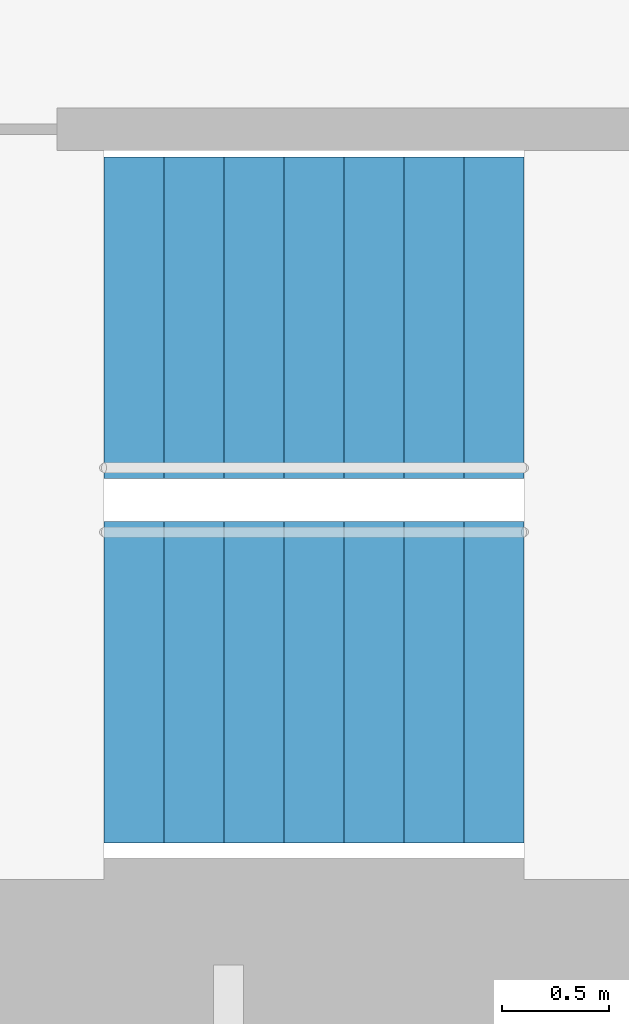
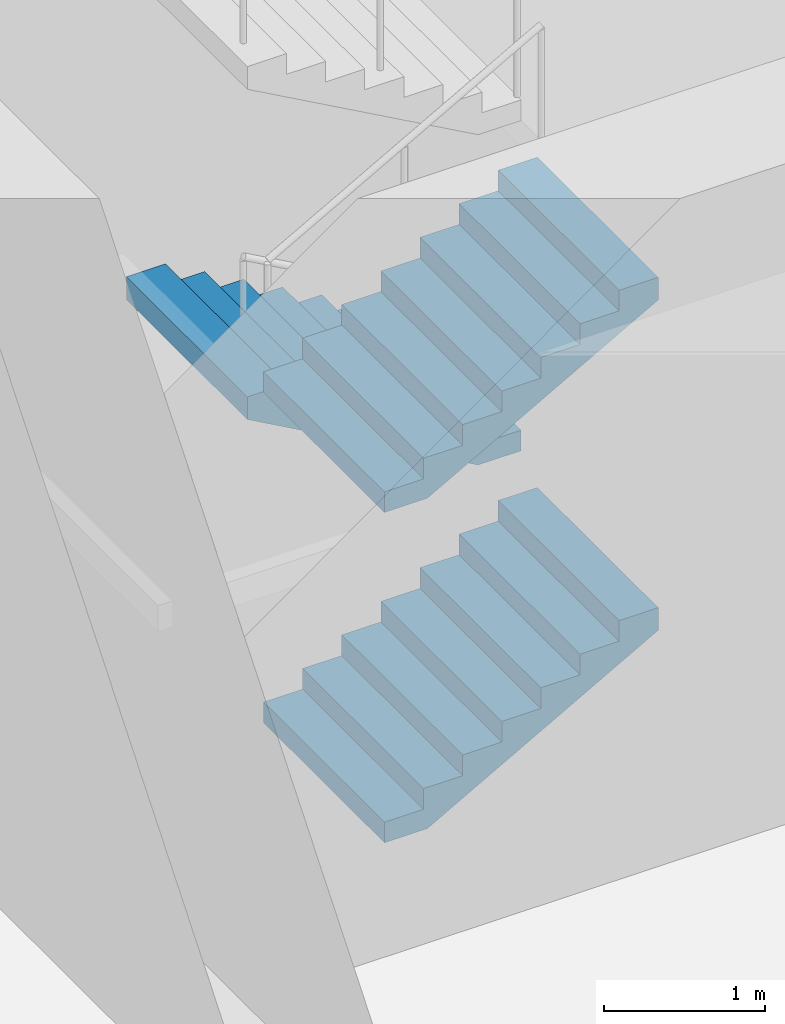
# One storey, part 14 of 17: 3 stair flights, 1 element without a shape of its own.
"""IFC4 building model written with IfcOpenShell, lengths in metres."""

from ifc_helpers import new_model, si_unit, direction, frame, origin, place, context, subcontext, project, spatial, triangles, material, type_object, element, aggregate, save


model = new_model("IFC4")

# Units and contexts
model_context = context("Model", 3, precision=1e-05, world=origin(), true_north=direction((0.0, 1.0)))
body_context = subcontext(model_context, "Body", "Model", "MODEL_VIEW")
ifc_project = project(units=[si_unit("LENGTHUNIT", "METRE"), si_unit("AREAUNIT", "SQUARE_METRE"), si_unit("VOLUMEUNIT", "CUBIC_METRE"), si_unit("PLANEANGLEUNIT", "RADIAN"), si_unit("MASSUNIT", "GRAM", prefix="KILO")], contexts=[model_context])

# Site, building, storey
site_placement = place(None, origin())
site = spatial("IfcSite", under=ifc_project, at=site_placement, CompositionType="ELEMENT")
building_placement = place(site_placement, origin())
building = spatial("IfcBuilding", under=site, at=building_placement, Name="Lantaw Convention Tower", CompositionType="ELEMENT")
storey_placement = place(building_placement, frame((0.0, 0.0, 279.39990234375)))
storey = spatial("IfcBuildingStorey", under=building, at=storey_placement, Name="L65", CompositionType="ELEMENT", Elevation=279.39990234375)

# Stair, stair flights
ifc_material = material(Name="Concrete C35/45", Category="concrete")
stair_type = type_object("IfcStairType", Name="Exit stair 1500 riser 156.25 in 4 flights", PredefinedType="HALF_TURN_STAIR", material=ifc_material)
stair_placement = place(storey_placement, origin())
stair = element("IfcStair", 1, at=stair_placement, inside=storey, type_object=stair_type, Name="Exit stair S1 L65", PredefinedType="HALF_TURN_STAIR")
stair_flight_type = type_object("IfcStairFlightType", Name="Stair flight 1500 riser 156.25", PredefinedType="STRAIGHT", material=ifc_material)
stair_flight_1_placement = place(storey_placement, frame((-10.580078125, -5.97998046875, 0.0), z_axis=(0.0, 0.0, 1.0), x_axis=(1.0, 0.0, 0.0)))
stair_flight_1 = element("IfcStairFlight", 2, at=stair_flight_1_placement, type_object=stair_flight_type, Name="S1 flight 1", NumberOfRisers=8, NumberOfTreads=7, PredefinedType="STRAIGHT", RiserHeight=0.15625, TreadLength=0.28, context=body_context, shape_type="Tessellation", body=[
    triangles([(0.0, 0.75, 0.0), (0.0, 0.75, 0.15625), (0.28, 0.75, 0.0), (0.28, 0.75, 0.15625), (0.28, 0.75, 0.3125), (0.3076200632058044, 0.75, 0.0), (0.3076200632058044, 0.75, 0.3125), (0.56, 0.75, 0.14083701830033238), (0.56, 0.75, 0.3125), (0.56, 0.75, 0.46875), (0.8400000000000001, 0.75, 0.29708701830033235), (0.8400000000000001, 0.75, 0.46875), (0.8400000000000001, 0.75, 0.625), (1.12, 0.75, 0.45333701830033235), (1.12, 0.75, 0.625), (1.12, 0.75, 0.78125), (1.4000000000000001, 0.75, 0.6095870183003324), (1.4000000000000001, 0.75, 0.78125), (1.4000000000000001, 0.75, 0.9375), (1.6800000000000002, 0.75, 0.7658370183003324), (1.6800000000000002, 0.75, 0.9375), (1.6800000000000002, 0.75, 1.09375), (1.9600000000000002, 0.75, 0.9220870183003324), (1.9600000000000002, 0.75, 1.09375), (0.0, -0.75, 0.0), (0.0, -0.75, 0.15625), (0.28, -0.75, 0.0), (0.28, -0.75, 0.15625), (0.28, -0.75, 0.3125), (0.3076200632058044, -0.75, 0.0), (0.3076200632058044, -0.75, 0.3125), (0.56, -0.75, 0.14083701830033238), (0.56, -0.75, 0.3125), (0.56, -0.75, 0.46875), (0.8400000000000001, -0.75, 0.29708701830033235), (0.8400000000000001, -0.75, 0.46875), (0.8400000000000001, -0.75, 0.625), (1.12, -0.75, 0.45333701830033235), (1.12, -0.75, 0.625), (1.12, -0.75, 0.78125), (1.4000000000000001, -0.75, 0.6095870183003324), (1.4000000000000001, -0.75, 0.78125), (1.4000000000000001, -0.75, 0.9375), (1.6800000000000002, -0.75, 0.7658370183003324), (1.6800000000000002, -0.75, 0.9375), (1.6800000000000002, -0.75, 1.09375), (1.9600000000000002, -0.75, 0.9220870183003324), (1.9600000000000002, -0.75, 1.09375), (0.0, 0.15000000000000002, 0.15625), (0.0, 0.15000000000000002, 0.0), (0.0, 0.0, 0.15625), (0.0, 0.0, 0.0), (0.0, -0.15000000000000002, 0.15625), (0.0, -0.15000000000000002, 0.0), (0.28, 0.15000000000000002, 0.3125), (0.28, 0.15000000000000002, 0.15625), (0.28, 0.0, 0.3125), (0.28, 0.0, 0.15625), (0.28, -0.15000000000000002, 0.3125), (0.28, -0.15000000000000002, 0.15625), (0.56, 0.15000000000000002, 0.46875), (0.56, 0.15000000000000002, 0.3125), (0.56, 0.0, 0.46875), (0.56, 0.0, 0.3125), (0.56, -0.15000000000000002, 0.46875), (0.56, -0.15000000000000002, 0.3125), (0.8400000000000001, 0.15000000000000002, 0.625), (0.8400000000000001, 0.15000000000000002, 0.46875), (0.8400000000000001, 0.0, 0.625), (0.8400000000000001, 0.0, 0.46875), (0.8400000000000001, -0.15000000000000002, 0.625), (0.8400000000000001, -0.15000000000000002, 0.46875), (1.12, 0.15000000000000002, 0.78125), (1.12, 0.15000000000000002, 0.625), (1.12, 0.0, 0.78125), (1.12, 0.0, 0.625), (1.12, -0.15000000000000002, 0.78125), (1.12, -0.15000000000000002, 0.625), (1.4000000000000001, 0.15000000000000002, 0.9375), (1.4000000000000001, 0.15000000000000002, 0.78125), (1.4000000000000001, 0.0, 0.9375), (1.4000000000000001, 0.0, 0.78125), (1.4000000000000001, -0.15000000000000002, 0.9375), (1.4000000000000001, -0.15000000000000002, 0.78125), (1.6800000000000002, 0.15000000000000002, 1.09375), (1.6800000000000002, 0.15000000000000002, 0.9375), (1.6800000000000002, 0.0, 1.09375), (1.6800000000000002, 0.0, 0.9375), (1.6800000000000002, -0.15000000000000002, 1.09375), (1.6800000000000002, -0.15000000000000002, 0.9375), (0.3076200632058044, 0.15000000000000002, 0.3125), (0.3076200632058044, 0.0, 0.3125), (0.3076200632058044, -0.15000000000000002, 0.3125), (1.9600000000000002, 0.15000000000000002, 1.09375), (1.9600000000000002, 0.0, 1.09375), (1.9600000000000002, -0.15000000000000002, 1.09375), (1.9600000000000002, 0.15000000000000002, 0.9220870183003324), (1.9600000000000002, 0.0, 0.9220870183003324), (1.9600000000000002, -0.15000000000000002, 0.9220870183003324), (1.6800000000000002, 0.15000000000000002, 0.7658370183003324), (1.6800000000000002, 0.0, 0.7658370183003324), (1.6800000000000002, -0.15000000000000002, 0.7658370183003324), (1.4000000000000001, 0.15000000000000002, 0.6095870183003324), (1.4000000000000001, 0.0, 0.6095870183003324), (1.4000000000000001, -0.15000000000000002, 0.6095870183003324), (1.12, 0.15000000000000002, 0.45333701830033235), (1.12, 0.0, 0.45333701830033235), (1.12, -0.15000000000000002, 0.45333701830033235), (0.8400000000000001, 0.15000000000000002, 0.29708701830033235), (0.8400000000000001, 0.0, 0.29708701830033235), (0.8400000000000001, -0.15000000000000002, 0.29708701830033235), (0.56, 0.15000000000000002, 0.14083701830033238), (0.56, 0.0, 0.14083701830033238), (0.56, -0.15000000000000002, 0.14083701830033238), (0.3076200632058044, 0.15000000000000002, 0.0), (0.3076200632058044, 0.0, 0.0), (0.3076200632058044, -0.15000000000000002, 0.0), (0.28, 0.15000000000000002, 0.0), (0.28, 0.0, 0.0), (0.28, -0.15000000000000002, 0.0)], [[1, 4, 3], [1, 2, 4], [3, 4, 6], [4, 7, 6], [4, 5, 7], [6, 9, 8], [6, 7, 9], [8, 9, 11], [9, 12, 11], [9, 10, 12], [11, 12, 14], [12, 15, 14], [12, 13, 15], [14, 15, 17], [15, 18, 17], [15, 16, 18], [17, 18, 20], [18, 21, 20], [18, 19, 21], [20, 21, 23], [21, 24, 23], [21, 22, 24], [25, 27, 28], [25, 28, 26], [27, 30, 28], [28, 30, 31], [28, 31, 29], [30, 32, 33], [30, 33, 31], [32, 35, 33], [33, 35, 36], [33, 36, 34], [35, 38, 36], [36, 38, 39], [36, 39, 37], [38, 41, 39], [39, 41, 42], [39, 42, 40], [41, 44, 42], [42, 44, 45], [42, 45, 43], [44, 47, 45], [45, 47, 48], [45, 48, 46], [1, 49, 2], [1, 50, 49], [50, 51, 49], [50, 52, 51], [52, 53, 51], [52, 54, 53], [54, 26, 53], [54, 25, 26], [4, 55, 5], [4, 56, 55], [56, 57, 55], [56, 58, 57], [58, 59, 57], [58, 60, 59], [60, 29, 59], [60, 28, 29], [9, 61, 10], [9, 62, 61], [62, 63, 61], [62, 64, 63], [64, 65, 63], [64, 66, 65], [66, 34, 65], [66, 33, 34], [12, 67, 13], [12, 68, 67], [68, 69, 67], [68, 70, 69], [70, 71, 69], [70, 72, 71], [72, 37, 71], [72, 36, 37], [15, 73, 16], [15, 74, 73], [74, 75, 73], [74, 76, 75], [76, 77, 75], [76, 78, 77], [78, 40, 77], [78, 39, 40], [18, 79, 19], [18, 80, 79], [80, 81, 79], [80, 82, 81], [82, 83, 81], [82, 84, 83], [84, 43, 83], [84, 42, 43], [21, 85, 22], [21, 86, 85], [86, 87, 85], [86, 88, 87], [88, 89, 87], [88, 90, 89], [90, 46, 89], [90, 45, 46], [2, 56, 4], [2, 49, 56], [49, 58, 56], [49, 51, 58], [51, 60, 58], [51, 53, 60], [53, 28, 60], [53, 26, 28], [5, 91, 7], [5, 55, 91], [55, 92, 91], [55, 57, 92], [57, 93, 92], [57, 59, 93], [59, 31, 93], [59, 29, 31], [7, 62, 9], [7, 91, 62], [91, 64, 62], [91, 92, 64], [92, 66, 64], [92, 93, 66], [93, 33, 66], [93, 31, 33], [10, 68, 12], [10, 61, 68], [61, 70, 68], [61, 63, 70], [63, 72, 70], [63, 65, 72], [65, 36, 72], [65, 34, 36], [13, 74, 15], [13, 67, 74], [67, 76, 74], [67, 69, 76], [69, 78, 76], [69, 71, 78], [71, 39, 78], [71, 37, 39], [16, 80, 18], [16, 73, 80], [73, 82, 80], [73, 75, 82], [75, 84, 82], [75, 77, 84], [77, 42, 84], [77, 40, 42], [19, 86, 21], [19, 79, 86], [79, 88, 86], [79, 81, 88], [81, 90, 88], [81, 83, 90], [83, 45, 90], [83, 43, 45], [22, 94, 24], [22, 85, 94], [85, 95, 94], [85, 87, 95], [87, 96, 95], [87, 89, 96], [89, 48, 96], [89, 46, 48], [24, 97, 23], [24, 94, 97], [94, 98, 97], [94, 95, 98], [95, 99, 98], [95, 96, 99], [96, 47, 99], [96, 48, 47], [23, 100, 20], [23, 97, 100], [97, 101, 100], [97, 98, 101], [98, 102, 101], [98, 99, 102], [99, 44, 102], [99, 47, 44], [20, 103, 17], [20, 100, 103], [100, 104, 103], [100, 101, 104], [101, 105, 104], [101, 102, 105], [102, 41, 105], [102, 44, 41], [17, 106, 14], [17, 103, 106], [103, 107, 106], [103, 104, 107], [104, 108, 107], [104, 105, 108], [105, 38, 108], [105, 41, 38], [14, 109, 11], [14, 106, 109], [106, 110, 109], [106, 107, 110], [107, 111, 110], [107, 108, 111], [108, 35, 111], [108, 38, 35], [11, 112, 8], [11, 109, 112], [109, 113, 112], [109, 110, 113], [110, 114, 113], [110, 111, 114], [111, 32, 114], [111, 35, 32], [8, 115, 6], [8, 112, 115], [112, 116, 115], [112, 113, 116], [113, 117, 116], [113, 114, 117], [114, 30, 117], [114, 32, 30], [6, 118, 3], [6, 115, 118], [115, 119, 118], [115, 116, 119], [116, 120, 119], [116, 117, 120], [117, 27, 120], [117, 30, 27], [3, 50, 1], [3, 118, 50], [118, 52, 50], [118, 119, 52], [119, 54, 52], [119, 120, 54], [120, 25, 54], [120, 27, 25]], closed=True),
])
stair_flight_2_placement = place(storey_placement, frame((-8.6201171875, -4.280029296875, 1.25), z_axis=(0.0, 0.0, 1.0), x_axis=(-1.0, 0.0, 0.0)))
stair_flight_2 = element("IfcStairFlight", 3, at=stair_flight_2_placement, type_object=stair_flight_type, Name="S1 flight 2", NumberOfRisers=8, NumberOfTreads=7, PredefinedType="STRAIGHT", RiserHeight=0.15625, TreadLength=0.28, context=body_context, shape_type="Tessellation", body=[
    triangles([(0.0, 0.75, 0.0), (0.0, 0.75, 0.15625), (0.28, 0.75, 0.0), (0.28, 0.75, 0.15625), (0.28, 0.75, 0.3125), (0.3076200632058044, 0.75, 0.0), (0.3076200632058044, 0.75, 0.3125), (0.56, 0.75, 0.14083701830033238), (0.56, 0.75, 0.3125), (0.56, 0.75, 0.46875), (0.8400000000000001, 0.75, 0.29708701830033235), (0.8400000000000001, 0.75, 0.46875), (0.8400000000000001, 0.75, 0.625), (1.12, 0.75, 0.45333701830033235), (1.12, 0.75, 0.625), (1.12, 0.75, 0.78125), (1.4000000000000001, 0.75, 0.6095870183003324), (1.4000000000000001, 0.75, 0.78125), (1.4000000000000001, 0.75, 0.9375), (1.6800000000000002, 0.75, 0.7658370183003324), (1.6800000000000002, 0.75, 0.9375), (1.6800000000000002, 0.75, 1.09375), (1.9600000000000002, 0.75, 0.9220870183003324), (1.9600000000000002, 0.75, 1.09375), (0.0, -0.75, 0.0), (0.0, -0.75, 0.15625), (0.28, -0.75, 0.0), (0.28, -0.75, 0.15625), (0.28, -0.75, 0.3125), (0.3076200632058044, -0.75, 0.0), (0.3076200632058044, -0.75, 0.3125), (0.56, -0.75, 0.14083701830033238), (0.56, -0.75, 0.3125), (0.56, -0.75, 0.46875), (0.8400000000000001, -0.75, 0.29708701830033235), (0.8400000000000001, -0.75, 0.46875), (0.8400000000000001, -0.75, 0.625), (1.12, -0.75, 0.45333701830033235), (1.12, -0.75, 0.625), (1.12, -0.75, 0.78125), (1.4000000000000001, -0.75, 0.6095870183003324), (1.4000000000000001, -0.75, 0.78125), (1.4000000000000001, -0.75, 0.9375), (1.6800000000000002, -0.75, 0.7658370183003324), (1.6800000000000002, -0.75, 0.9375), (1.6800000000000002, -0.75, 1.09375), (1.9600000000000002, -0.75, 0.9220870183003324), (1.9600000000000002, -0.75, 1.09375), (0.0, 0.15000000000000002, 0.15625), (0.0, 0.15000000000000002, 0.0), (0.0, 0.0, 0.15625), (0.0, 0.0, 0.0), (0.0, -0.15000000000000002, 0.15625), (0.0, -0.15000000000000002, 0.0), (0.28, 0.15000000000000002, 0.3125), (0.28, 0.15000000000000002, 0.15625), (0.28, 0.0, 0.3125), (0.28, 0.0, 0.15625), (0.28, -0.15000000000000002, 0.3125), (0.28, -0.15000000000000002, 0.15625), (0.56, 0.15000000000000002, 0.46875), (0.56, 0.15000000000000002, 0.3125), (0.56, 0.0, 0.46875), (0.56, 0.0, 0.3125), (0.56, -0.15000000000000002, 0.46875), (0.56, -0.15000000000000002, 0.3125), (0.8400000000000001, 0.15000000000000002, 0.625), (0.8400000000000001, 0.15000000000000002, 0.46875), (0.8400000000000001, 0.0, 0.625), (0.8400000000000001, 0.0, 0.46875), (0.8400000000000001, -0.15000000000000002, 0.625), (0.8400000000000001, -0.15000000000000002, 0.46875), (1.12, 0.15000000000000002, 0.78125), (1.12, 0.15000000000000002, 0.625), (1.12, 0.0, 0.78125), (1.12, 0.0, 0.625), (1.12, -0.15000000000000002, 0.78125), (1.12, -0.15000000000000002, 0.625), (1.4000000000000001, 0.15000000000000002, 0.9375), (1.4000000000000001, 0.15000000000000002, 0.78125), (1.4000000000000001, 0.0, 0.9375), (1.4000000000000001, 0.0, 0.78125), (1.4000000000000001, -0.15000000000000002, 0.9375), (1.4000000000000001, -0.15000000000000002, 0.78125), (1.6800000000000002, 0.15000000000000002, 1.09375), (1.6800000000000002, 0.15000000000000002, 0.9375), (1.6800000000000002, 0.0, 1.09375), (1.6800000000000002, 0.0, 0.9375), (1.6800000000000002, -0.15000000000000002, 1.09375), (1.6800000000000002, -0.15000000000000002, 0.9375), (0.3076200632058044, 0.15000000000000002, 0.3125), (0.3076200632058044, 0.0, 0.3125), (0.3076200632058044, -0.15000000000000002, 0.3125), (1.9600000000000002, 0.15000000000000002, 1.09375), (1.9600000000000002, 0.0, 1.09375), (1.9600000000000002, -0.15000000000000002, 1.09375), (1.9600000000000002, 0.15000000000000002, 0.9220870183003324), (1.9600000000000002, 0.0, 0.9220870183003324), (1.9600000000000002, -0.15000000000000002, 0.9220870183003324), (1.6800000000000002, 0.15000000000000002, 0.7658370183003324), (1.6800000000000002, 0.0, 0.7658370183003324), (1.6800000000000002, -0.15000000000000002, 0.7658370183003324), (1.4000000000000001, 0.15000000000000002, 0.6095870183003324), (1.4000000000000001, 0.0, 0.6095870183003324), (1.4000000000000001, -0.15000000000000002, 0.6095870183003324), (1.12, 0.15000000000000002, 0.45333701830033235), (1.12, 0.0, 0.45333701830033235), (1.12, -0.15000000000000002, 0.45333701830033235), (0.8400000000000001, 0.15000000000000002, 0.29708701830033235), (0.8400000000000001, 0.0, 0.29708701830033235), (0.8400000000000001, -0.15000000000000002, 0.29708701830033235), (0.56, 0.15000000000000002, 0.14083701830033238), (0.56, 0.0, 0.14083701830033238), (0.56, -0.15000000000000002, 0.14083701830033238), (0.3076200632058044, 0.15000000000000002, 0.0), (0.3076200632058044, 0.0, 0.0), (0.3076200632058044, -0.15000000000000002, 0.0), (0.28, 0.15000000000000002, 0.0), (0.28, 0.0, 0.0), (0.28, -0.15000000000000002, 0.0)], [[1, 4, 3], [1, 2, 4], [3, 4, 6], [4, 7, 6], [4, 5, 7], [6, 9, 8], [6, 7, 9], [8, 9, 11], [9, 12, 11], [9, 10, 12], [11, 12, 14], [12, 15, 14], [12, 13, 15], [14, 15, 17], [15, 18, 17], [15, 16, 18], [17, 18, 20], [18, 21, 20], [18, 19, 21], [20, 21, 23], [21, 24, 23], [21, 22, 24], [25, 27, 28], [25, 28, 26], [27, 30, 28], [28, 30, 31], [28, 31, 29], [30, 32, 33], [30, 33, 31], [32, 35, 33], [33, 35, 36], [33, 36, 34], [35, 38, 36], [36, 38, 39], [36, 39, 37], [38, 41, 39], [39, 41, 42], [39, 42, 40], [41, 44, 42], [42, 44, 45], [42, 45, 43], [44, 47, 45], [45, 47, 48], [45, 48, 46], [1, 49, 2], [1, 50, 49], [50, 51, 49], [50, 52, 51], [52, 53, 51], [52, 54, 53], [54, 26, 53], [54, 25, 26], [4, 55, 5], [4, 56, 55], [56, 57, 55], [56, 58, 57], [58, 59, 57], [58, 60, 59], [60, 29, 59], [60, 28, 29], [9, 61, 10], [9, 62, 61], [62, 63, 61], [62, 64, 63], [64, 65, 63], [64, 66, 65], [66, 34, 65], [66, 33, 34], [12, 67, 13], [12, 68, 67], [68, 69, 67], [68, 70, 69], [70, 71, 69], [70, 72, 71], [72, 37, 71], [72, 36, 37], [15, 73, 16], [15, 74, 73], [74, 75, 73], [74, 76, 75], [76, 77, 75], [76, 78, 77], [78, 40, 77], [78, 39, 40], [18, 79, 19], [18, 80, 79], [80, 81, 79], [80, 82, 81], [82, 83, 81], [82, 84, 83], [84, 43, 83], [84, 42, 43], [21, 85, 22], [21, 86, 85], [86, 87, 85], [86, 88, 87], [88, 89, 87], [88, 90, 89], [90, 46, 89], [90, 45, 46], [2, 56, 4], [2, 49, 56], [49, 58, 56], [49, 51, 58], [51, 60, 58], [51, 53, 60], [53, 28, 60], [53, 26, 28], [5, 91, 7], [5, 55, 91], [55, 92, 91], [55, 57, 92], [57, 93, 92], [57, 59, 93], [59, 31, 93], [59, 29, 31], [7, 62, 9], [7, 91, 62], [91, 64, 62], [91, 92, 64], [92, 66, 64], [92, 93, 66], [93, 33, 66], [93, 31, 33], [10, 68, 12], [10, 61, 68], [61, 70, 68], [61, 63, 70], [63, 72, 70], [63, 65, 72], [65, 36, 72], [65, 34, 36], [13, 74, 15], [13, 67, 74], [67, 76, 74], [67, 69, 76], [69, 78, 76], [69, 71, 78], [71, 39, 78], [71, 37, 39], [16, 80, 18], [16, 73, 80], [73, 82, 80], [73, 75, 82], [75, 84, 82], [75, 77, 84], [77, 42, 84], [77, 40, 42], [19, 86, 21], [19, 79, 86], [79, 88, 86], [79, 81, 88], [81, 90, 88], [81, 83, 90], [83, 45, 90], [83, 43, 45], [22, 94, 24], [22, 85, 94], [85, 95, 94], [85, 87, 95], [87, 96, 95], [87, 89, 96], [89, 48, 96], [89, 46, 48], [24, 97, 23], [24, 94, 97], [94, 98, 97], [94, 95, 98], [95, 99, 98], [95, 96, 99], [96, 47, 99], [96, 48, 47], [23, 100, 20], [23, 97, 100], [97, 101, 100], [97, 98, 101], [98, 102, 101], [98, 99, 102], [99, 44, 102], [99, 47, 44], [20, 103, 17], [20, 100, 103], [100, 104, 103], [100, 101, 104], [101, 105, 104], [101, 102, 105], [102, 41, 105], [102, 44, 41], [17, 106, 14], [17, 103, 106], [103, 107, 106], [103, 104, 107], [104, 108, 107], [104, 105, 108], [105, 38, 108], [105, 41, 38], [14, 109, 11], [14, 106, 109], [106, 110, 109], [106, 107, 110], [107, 111, 110], [107, 108, 111], [108, 35, 111], [108, 38, 35], [11, 112, 8], [11, 109, 112], [109, 113, 112], [109, 110, 113], [110, 114, 113], [110, 111, 114], [111, 32, 114], [111, 35, 32], [8, 115, 6], [8, 112, 115], [112, 116, 115], [112, 113, 116], [113, 117, 116], [113, 114, 117], [114, 30, 117], [114, 32, 30], [6, 118, 3], [6, 115, 118], [115, 119, 118], [115, 116, 119], [116, 120, 119], [116, 117, 120], [117, 27, 120], [117, 30, 27], [3, 50, 1], [3, 118, 50], [118, 52, 50], [118, 119, 52], [119, 54, 52], [119, 120, 54], [120, 25, 54], [120, 27, 25]], closed=True),
])
stair_flight_3_placement = place(storey_placement, frame((-10.580078125, -5.97998046875, 2.5), z_axis=(0.0, 0.0, 1.0), x_axis=(1.0, 0.0, 0.0)))
stair_flight_3 = element("IfcStairFlight", 4, at=stair_flight_3_placement, type_object=stair_flight_type, Name="S1 flight 3", NumberOfRisers=8, NumberOfTreads=7, PredefinedType="STRAIGHT", RiserHeight=0.15625, TreadLength=0.28, context=body_context, shape_type="Tessellation", body=[
    triangles([(0.0, 0.75, 0.0), (0.0, 0.75, 0.15625), (0.28, 0.75, 0.0), (0.28, 0.75, 0.15625), (0.28, 0.75, 0.3125), (0.3076200632058044, 0.75, 0.0), (0.3076200632058044, 0.75, 0.3125), (0.56, 0.75, 0.14083701830033238), (0.56, 0.75, 0.3125), (0.56, 0.75, 0.46875), (0.8400000000000001, 0.75, 0.29708701830033235), (0.8400000000000001, 0.75, 0.46875), (0.8400000000000001, 0.75, 0.625), (1.12, 0.75, 0.45333701830033235), (1.12, 0.75, 0.625), (1.12, 0.75, 0.78125), (1.4000000000000001, 0.75, 0.6095870183003324), (1.4000000000000001, 0.75, 0.78125), (1.4000000000000001, 0.75, 0.9375), (1.6800000000000002, 0.75, 0.7658370183003324), (1.6800000000000002, 0.75, 0.9375), (1.6800000000000002, 0.75, 1.09375), (1.9600000000000002, 0.75, 0.9220870183003324), (1.9600000000000002, 0.75, 1.09375), (0.0, -0.75, 0.0), (0.0, -0.75, 0.15625), (0.28, -0.75, 0.0), (0.28, -0.75, 0.15625), (0.28, -0.75, 0.3125), (0.3076200632058044, -0.75, 0.0), (0.3076200632058044, -0.75, 0.3125), (0.56, -0.75, 0.14083701830033238), (0.56, -0.75, 0.3125), (0.56, -0.75, 0.46875), (0.8400000000000001, -0.75, 0.29708701830033235), (0.8400000000000001, -0.75, 0.46875), (0.8400000000000001, -0.75, 0.625), (1.12, -0.75, 0.45333701830033235), (1.12, -0.75, 0.625), (1.12, -0.75, 0.78125), (1.4000000000000001, -0.75, 0.6095870183003324), (1.4000000000000001, -0.75, 0.78125), (1.4000000000000001, -0.75, 0.9375), (1.6800000000000002, -0.75, 0.7658370183003324), (1.6800000000000002, -0.75, 0.9375), (1.6800000000000002, -0.75, 1.09375), (1.9600000000000002, -0.75, 0.9220870183003324), (1.9600000000000002, -0.75, 1.09375), (0.0, 0.15000000000000002, 0.15625), (0.0, 0.15000000000000002, 0.0), (0.0, 0.0, 0.15625), (0.0, 0.0, 0.0), (0.0, -0.15000000000000002, 0.15625), (0.0, -0.15000000000000002, 0.0), (0.28, 0.15000000000000002, 0.3125), (0.28, 0.15000000000000002, 0.15625), (0.28, 0.0, 0.3125), (0.28, 0.0, 0.15625), (0.28, -0.15000000000000002, 0.3125), (0.28, -0.15000000000000002, 0.15625), (0.56, 0.15000000000000002, 0.46875), (0.56, 0.15000000000000002, 0.3125), (0.56, 0.0, 0.46875), (0.56, 0.0, 0.3125), (0.56, -0.15000000000000002, 0.46875), (0.56, -0.15000000000000002, 0.3125), (0.8400000000000001, 0.15000000000000002, 0.625), (0.8400000000000001, 0.15000000000000002, 0.46875), (0.8400000000000001, 0.0, 0.625), (0.8400000000000001, 0.0, 0.46875), (0.8400000000000001, -0.15000000000000002, 0.625), (0.8400000000000001, -0.15000000000000002, 0.46875), (1.12, 0.15000000000000002, 0.78125), (1.12, 0.15000000000000002, 0.625), (1.12, 0.0, 0.78125), (1.12, 0.0, 0.625), (1.12, -0.15000000000000002, 0.78125), (1.12, -0.15000000000000002, 0.625), (1.4000000000000001, 0.15000000000000002, 0.9375), (1.4000000000000001, 0.15000000000000002, 0.78125), (1.4000000000000001, 0.0, 0.9375), (1.4000000000000001, 0.0, 0.78125), (1.4000000000000001, -0.15000000000000002, 0.9375), (1.4000000000000001, -0.15000000000000002, 0.78125), (1.6800000000000002, 0.15000000000000002, 1.09375), (1.6800000000000002, 0.15000000000000002, 0.9375), (1.6800000000000002, 0.0, 1.09375), (1.6800000000000002, 0.0, 0.9375), (1.6800000000000002, -0.15000000000000002, 1.09375), (1.6800000000000002, -0.15000000000000002, 0.9375), (0.3076200632058044, 0.15000000000000002, 0.3125), (0.3076200632058044, 0.0, 0.3125), (0.3076200632058044, -0.15000000000000002, 0.3125), (1.9600000000000002, 0.15000000000000002, 1.09375), (1.9600000000000002, 0.0, 1.09375), (1.9600000000000002, -0.15000000000000002, 1.09375), (1.9600000000000002, 0.15000000000000002, 0.9220870183003324), (1.9600000000000002, 0.0, 0.9220870183003324), (1.9600000000000002, -0.15000000000000002, 0.9220870183003324), (1.6800000000000002, 0.15000000000000002, 0.7658370183003324), (1.6800000000000002, 0.0, 0.7658370183003324), (1.6800000000000002, -0.15000000000000002, 0.7658370183003324), (1.4000000000000001, 0.15000000000000002, 0.6095870183003324), (1.4000000000000001, 0.0, 0.6095870183003324), (1.4000000000000001, -0.15000000000000002, 0.6095870183003324), (1.12, 0.15000000000000002, 0.45333701830033235), (1.12, 0.0, 0.45333701830033235), (1.12, -0.15000000000000002, 0.45333701830033235), (0.8400000000000001, 0.15000000000000002, 0.29708701830033235), (0.8400000000000001, 0.0, 0.29708701830033235), (0.8400000000000001, -0.15000000000000002, 0.29708701830033235), (0.56, 0.15000000000000002, 0.14083701830033238), (0.56, 0.0, 0.14083701830033238), (0.56, -0.15000000000000002, 0.14083701830033238), (0.3076200632058044, 0.15000000000000002, 0.0), (0.3076200632058044, 0.0, 0.0), (0.3076200632058044, -0.15000000000000002, 0.0), (0.28, 0.15000000000000002, 0.0), (0.28, 0.0, 0.0), (0.28, -0.15000000000000002, 0.0)], [[1, 4, 3], [1, 2, 4], [3, 4, 6], [4, 7, 6], [4, 5, 7], [6, 9, 8], [6, 7, 9], [8, 9, 11], [9, 12, 11], [9, 10, 12], [11, 12, 14], [12, 15, 14], [12, 13, 15], [14, 15, 17], [15, 18, 17], [15, 16, 18], [17, 18, 20], [18, 21, 20], [18, 19, 21], [20, 21, 23], [21, 24, 23], [21, 22, 24], [25, 27, 28], [25, 28, 26], [27, 30, 28], [28, 30, 31], [28, 31, 29], [30, 32, 33], [30, 33, 31], [32, 35, 33], [33, 35, 36], [33, 36, 34], [35, 38, 36], [36, 38, 39], [36, 39, 37], [38, 41, 39], [39, 41, 42], [39, 42, 40], [41, 44, 42], [42, 44, 45], [42, 45, 43], [44, 47, 45], [45, 47, 48], [45, 48, 46], [1, 49, 2], [1, 50, 49], [50, 51, 49], [50, 52, 51], [52, 53, 51], [52, 54, 53], [54, 26, 53], [54, 25, 26], [4, 55, 5], [4, 56, 55], [56, 57, 55], [56, 58, 57], [58, 59, 57], [58, 60, 59], [60, 29, 59], [60, 28, 29], [9, 61, 10], [9, 62, 61], [62, 63, 61], [62, 64, 63], [64, 65, 63], [64, 66, 65], [66, 34, 65], [66, 33, 34], [12, 67, 13], [12, 68, 67], [68, 69, 67], [68, 70, 69], [70, 71, 69], [70, 72, 71], [72, 37, 71], [72, 36, 37], [15, 73, 16], [15, 74, 73], [74, 75, 73], [74, 76, 75], [76, 77, 75], [76, 78, 77], [78, 40, 77], [78, 39, 40], [18, 79, 19], [18, 80, 79], [80, 81, 79], [80, 82, 81], [82, 83, 81], [82, 84, 83], [84, 43, 83], [84, 42, 43], [21, 85, 22], [21, 86, 85], [86, 87, 85], [86, 88, 87], [88, 89, 87], [88, 90, 89], [90, 46, 89], [90, 45, 46], [2, 56, 4], [2, 49, 56], [49, 58, 56], [49, 51, 58], [51, 60, 58], [51, 53, 60], [53, 28, 60], [53, 26, 28], [5, 91, 7], [5, 55, 91], [55, 92, 91], [55, 57, 92], [57, 93, 92], [57, 59, 93], [59, 31, 93], [59, 29, 31], [7, 62, 9], [7, 91, 62], [91, 64, 62], [91, 92, 64], [92, 66, 64], [92, 93, 66], [93, 33, 66], [93, 31, 33], [10, 68, 12], [10, 61, 68], [61, 70, 68], [61, 63, 70], [63, 72, 70], [63, 65, 72], [65, 36, 72], [65, 34, 36], [13, 74, 15], [13, 67, 74], [67, 76, 74], [67, 69, 76], [69, 78, 76], [69, 71, 78], [71, 39, 78], [71, 37, 39], [16, 80, 18], [16, 73, 80], [73, 82, 80], [73, 75, 82], [75, 84, 82], [75, 77, 84], [77, 42, 84], [77, 40, 42], [19, 86, 21], [19, 79, 86], [79, 88, 86], [79, 81, 88], [81, 90, 88], [81, 83, 90], [83, 45, 90], [83, 43, 45], [22, 94, 24], [22, 85, 94], [85, 95, 94], [85, 87, 95], [87, 96, 95], [87, 89, 96], [89, 48, 96], [89, 46, 48], [24, 97, 23], [24, 94, 97], [94, 98, 97], [94, 95, 98], [95, 99, 98], [95, 96, 99], [96, 47, 99], [96, 48, 47], [23, 100, 20], [23, 97, 100], [97, 101, 100], [97, 98, 101], [98, 102, 101], [98, 99, 102], [99, 44, 102], [99, 47, 44], [20, 103, 17], [20, 100, 103], [100, 104, 103], [100, 101, 104], [101, 105, 104], [101, 102, 105], [102, 41, 105], [102, 44, 41], [17, 106, 14], [17, 103, 106], [103, 107, 106], [103, 104, 107], [104, 108, 107], [104, 105, 108], [105, 38, 108], [105, 41, 38], [14, 109, 11], [14, 106, 109], [106, 110, 109], [106, 107, 110], [107, 111, 110], [107, 108, 111], [108, 35, 111], [108, 38, 35], [11, 112, 8], [11, 109, 112], [109, 113, 112], [109, 110, 113], [110, 114, 113], [110, 111, 114], [111, 32, 114], [111, 35, 32], [8, 115, 6], [8, 112, 115], [112, 116, 115], [112, 113, 116], [113, 117, 116], [113, 114, 117], [114, 30, 117], [114, 32, 30], [6, 118, 3], [6, 115, 118], [115, 119, 118], [115, 116, 119], [116, 120, 119], [116, 117, 120], [117, 27, 120], [117, 30, 27], [3, 50, 1], [3, 118, 50], [118, 52, 50], [118, 119, 52], [119, 54, 52], [119, 120, 54], [120, 25, 54], [120, 27, 25]], closed=True),
])
aggregate(stair, [stair_flight_1, stair_flight_2, stair_flight_3])

save(model, "model.ifc")
